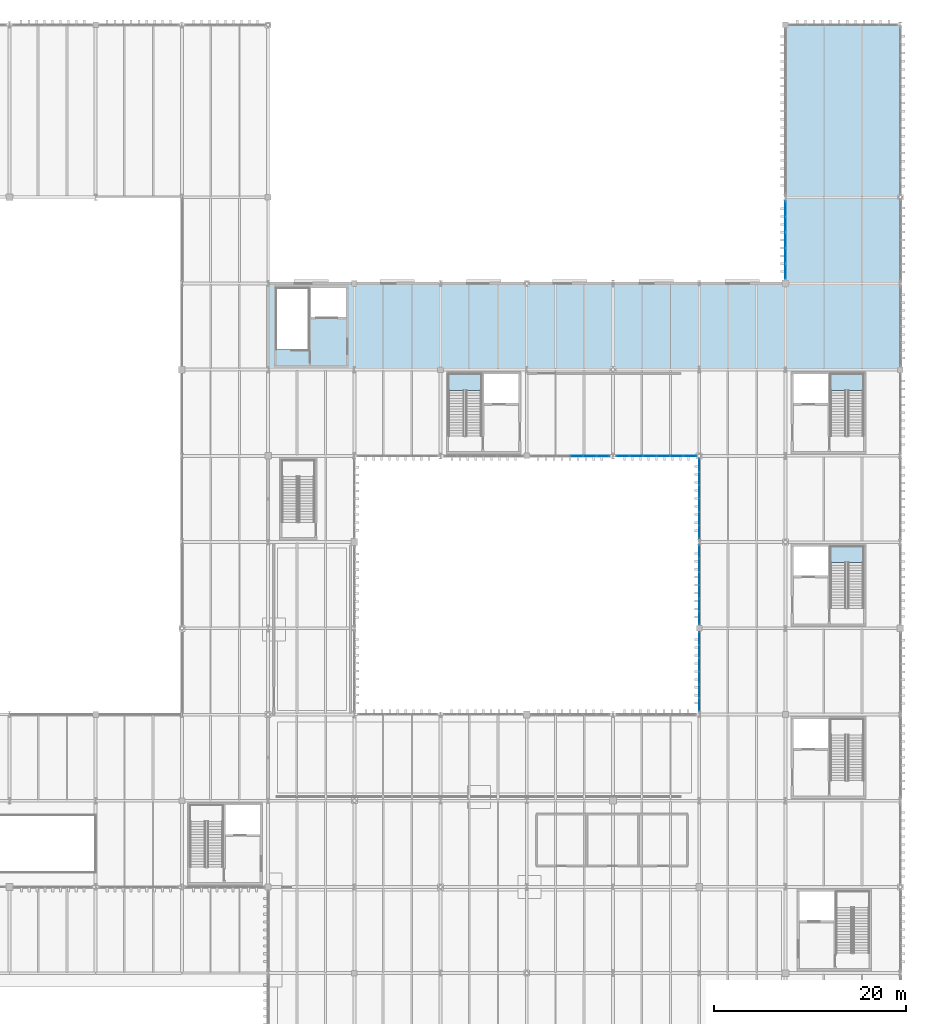
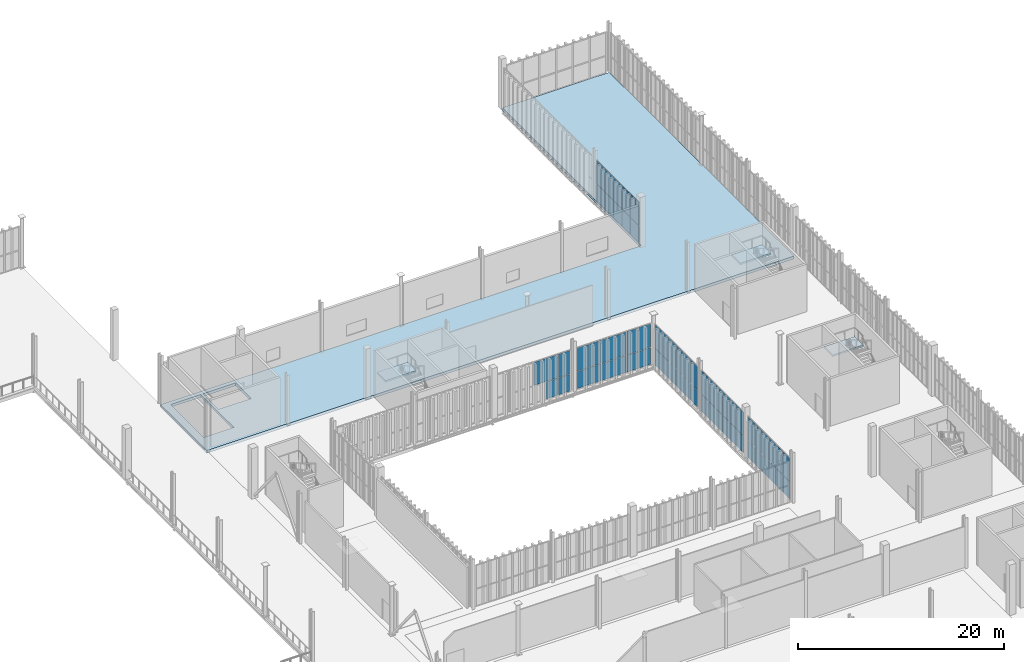
# One storey, part 164 of 211: 63 plates, 4 slabs, 9 elements without a shape of their own.
"""IFC4 building model written with IfcOpenShell, lengths in metres."""

from ifc_helpers import new_model, si_unit, direction, frame, origin, origin_2d, place, context, subcontext, project, spatial, polyline, rectangle, outline, extrude, material, layer, layer_set, type_object, element, aggregate, save


model = new_model("IFC4")

# Units and contexts
model_context = context("Model", 3, precision=1e-05, world=origin(), true_north=direction((0.0, 1.0)))
body_context = subcontext(model_context, "Body", "Model", "MODEL_VIEW")
ifc_project = project(units=[si_unit("LENGTHUNIT", "METRE"), si_unit("AREAUNIT", "SQUARE_METRE"), si_unit("VOLUMEUNIT", "CUBIC_METRE"), si_unit("PLANEANGLEUNIT", "RADIAN"), si_unit("MASSUNIT", "GRAM", prefix="KILO")], contexts=[model_context])

# Site, building, storey
site_placement = place(None, origin())
site = spatial("IfcSite", under=ifc_project, at=site_placement, CompositionType="ELEMENT")
building_placement = place(site_placement, origin())
building = spatial("IfcBuilding", under=site, at=building_placement, Name="Barlavento Convention Centre", CompositionType="ELEMENT")
storey_placement = place(building_placement, frame((0.0, 0.0, 6.0)))
storey = spatial("IfcBuildingStorey", under=building, at=storey_placement, Name="L01", CompositionType="ELEMENT", Elevation=6.0)

# Curtain wall, plates
ifc_material_1 = material(Name="Powder-coated aluminium and Low-E glass", Category="aluminium")
ifc_layer_1 = layer(ifc_material_1, 0.195068359375)
ifc_layer_set_1 = layer_set([ifc_layer_1], Name="ARC-CW-PATIO-A")
curtain_wall_type_1 = type_object("IfcCurtainWallType", Name="ARC-CW-PATIO-A", PredefinedType="NOTDEFINED", material=ifc_layer_set_1)
curtain_wall_1_placement = place(storey_placement, origin())
curtain_wall_1 = element("IfcCurtainWall", 1, at=curtain_wall_1_placement, inside=storey, type_object=curtain_wall_type_1, Name="L01 unitised curtain wall CW11", PredefinedType="NOTDEFINED")
ifc_material_2 = material(Name="Double-silver Low-E insulated glass", Category="glass")
ifc_layer_2 = layer(ifc_material_2, 0.028076171875)
ifc_layer_set_2 = layer_set([ifc_layer_2], Name="ARC-CWP-GLZ28")
plate_type_1 = type_object("IfcPlateType", Name="ARC-CWP-GLZ28", PredefinedType="CURTAIN_PANEL", material=ifc_layer_set_2)
plate_1_placement = place(storey_placement, frame((158.1982421875, 90.0, 2.1298828125), z_axis=(0.0, 0.0, 1.0), x_axis=(1.0, 0.0, 0.0)))
plate_1 = element("IfcPlate", 2, at=plate_1_placement, type_object=plate_type_1, Name="CW11 panel 4.2", PredefinedType="CURTAIN_PANEL", context=body_context, shape_type="SweptSolid", body=[
    extrude(rectangle(XDim=1.322265625, YDim=0.028076171875, at=origin_2d()), origin(), (0.0, 0.0, 1.0), 2.760009765625),
])
plate_2_placement = place(storey_placement, frame((159.58056640625, 90.0, 0.06005859375), z_axis=(0.0, 0.0, 1.0), x_axis=(1.0, 0.0, 0.0)))
plate_2 = element("IfcPlate", 3, at=plate_2_placement, type_object=plate_type_1, Name="CW11 panel 5.1", PredefinedType="CURTAIN_PANEL", context=body_context, shape_type="SweptSolid", body=[
    extrude(rectangle(XDim=1.322265625, YDim=0.028076171875, at=origin_2d()), origin(), (0.0, 0.0, 1.0), 2.010009765625),
])
plate_3_placement = place(storey_placement, frame((159.58056640625, 90.0, 2.1298828125), z_axis=(0.0, 0.0, 1.0), x_axis=(1.0, 0.0, 0.0)))
plate_3 = element("IfcPlate", 4, at=plate_3_placement, type_object=plate_type_1, Name="CW11 panel 5.2", PredefinedType="CURTAIN_PANEL", context=body_context, shape_type="SweptSolid", body=[
    extrude(rectangle(XDim=1.322265625, YDim=0.028076171875, at=origin_2d()), origin(), (0.0, 0.0, 1.0), 2.760009765625),
])
plate_4_placement = place(storey_placement, frame((160.94775390625, 90.0, 0.06005859375), z_axis=(0.0, 0.0, 1.0), x_axis=(1.0, 0.0, 0.0)))
plate_4 = element("IfcPlate", 5, at=plate_4_placement, type_object=plate_type_1, Name="CW11 panel 6.1", PredefinedType="CURTAIN_PANEL", context=body_context, shape_type="SweptSolid", body=[
    extrude(rectangle(XDim=1.292236328125, YDim=0.028076171875, at=origin_2d()), origin(), (0.0, 0.0, 1.0), 2.010009765625),
])
plate_5_placement = place(storey_placement, frame((160.94775390625, 90.0, 2.1298828125), z_axis=(0.0, 0.0, 1.0), x_axis=(1.0, 0.0, 0.0)))
plate_5 = element("IfcPlate", 6, at=plate_5_placement, type_object=plate_type_1, Name="CW11 panel 6.2", PredefinedType="CURTAIN_PANEL", context=body_context, shape_type="SweptSolid", body=[
    extrude(rectangle(XDim=1.292236328125, YDim=0.028076171875, at=origin_2d()), origin(), (0.0, 0.0, 1.0), 2.760009765625),
])
aggregate(curtain_wall_1, [plate_1, plate_2, plate_3, plate_4, plate_5])

curtain_wall_2_placement = place(storey_placement, origin())
curtain_wall_2 = element("IfcCurtainWall", 7, at=curtain_wall_2_placement, inside=storey, type_object=curtain_wall_type_1, Name="L01 unitised curtain wall CW11", PredefinedType="NOTDEFINED")
plate_6_placement = place(storey_placement, frame((163.060302734375, 90.0, 0.06005859375), z_axis=(0.0, 0.0, 1.0), x_axis=(1.0, 0.0, 0.0)))
plate_6 = element("IfcPlate", 8, at=plate_6_placement, type_object=plate_type_1, Name="CW11 panel 1.1", PredefinedType="CURTAIN_PANEL", context=body_context, shape_type="SweptSolid", body=[
    extrude(rectangle(XDim=1.308349609375, YDim=0.028076171875, at=origin_2d()), origin(), (0.0, 0.0, 1.0), 2.010009765625),
])
plate_7_placement = place(storey_placement, frame((163.060302734375, 90.0, 2.1298828125), z_axis=(0.0, 0.0, 1.0), x_axis=(1.0, 0.0, 0.0)))
plate_7 = element("IfcPlate", 9, at=plate_7_placement, type_object=plate_type_1, Name="CW11 panel 1.2", PredefinedType="CURTAIN_PANEL", context=body_context, shape_type="SweptSolid", body=[
    extrude(rectangle(XDim=1.308349609375, YDim=0.028076171875, at=origin_2d()), origin(), (0.0, 0.0, 1.0), 2.760009765625),
])
plate_8_placement = place(storey_placement, frame((164.443603515625, 90.0, 0.06005859375), z_axis=(0.0, 0.0, 1.0), x_axis=(1.0, 0.0, 0.0)))
plate_8 = element("IfcPlate", 10, at=plate_8_placement, type_object=plate_type_1, Name="CW11 panel 2.1", PredefinedType="CURTAIN_PANEL", context=body_context, shape_type="SweptSolid", body=[
    extrude(rectangle(XDim=1.33837890625, YDim=0.028076171875, at=origin_2d()), origin(), (0.0, 0.0, 1.0), 2.010009765625),
])
plate_9_placement = place(storey_placement, frame((164.443603515625, 90.0, 2.1298828125), z_axis=(0.0, 0.0, 1.0), x_axis=(1.0, 0.0, 0.0)))
plate_9 = element("IfcPlate", 11, at=plate_9_placement, type_object=plate_type_1, Name="CW11 panel 2.2", PredefinedType="CURTAIN_PANEL", context=body_context, shape_type="SweptSolid", body=[
    extrude(rectangle(XDim=1.33837890625, YDim=0.028076171875, at=origin_2d()), origin(), (0.0, 0.0, 1.0), 2.760009765625),
])
plate_10_placement = place(storey_placement, frame((165.84228515625, 90.0, 0.06005859375), z_axis=(0.0, 0.0, 1.0), x_axis=(1.0, 0.0, 0.0)))
plate_10 = element("IfcPlate", 12, at=plate_10_placement, type_object=plate_type_1, Name="CW11 panel 3.1", PredefinedType="CURTAIN_PANEL", context=body_context, shape_type="SweptSolid", body=[
    extrude(rectangle(XDim=1.33837890625, YDim=0.028076171875, at=origin_2d()), origin(), (0.0, 0.0, 1.0), 2.010009765625),
])
plate_11_placement = place(storey_placement, frame((165.84228515625, 90.0, 2.1298828125), z_axis=(0.0, 0.0, 1.0), x_axis=(1.0, 0.0, 0.0)))
plate_11 = element("IfcPlate", 13, at=plate_11_placement, type_object=plate_type_1, Name="CW11 panel 3.2", PredefinedType="CURTAIN_PANEL", context=body_context, shape_type="SweptSolid", body=[
    extrude(rectangle(XDim=1.33837890625, YDim=0.028076171875, at=origin_2d()), origin(), (0.0, 0.0, 1.0), 2.760009765625),
])
plate_12_placement = place(storey_placement, frame((167.24072265625, 90.0, 0.06005859375), z_axis=(0.0, 0.0, 1.0), x_axis=(1.0, 0.0, 0.0)))
plate_12 = element("IfcPlate", 14, at=plate_12_placement, type_object=plate_type_1, Name="CW11 panel 4.1", PredefinedType="CURTAIN_PANEL", context=body_context, shape_type="SweptSolid", body=[
    extrude(rectangle(XDim=1.33837890625, YDim=0.028076171875, at=origin_2d()), origin(), (0.0, 0.0, 1.0), 2.010009765625),
])
plate_13_placement = place(storey_placement, frame((167.24072265625, 90.0, 2.1298828125), z_axis=(0.0, 0.0, 1.0), x_axis=(1.0, 0.0, 0.0)))
plate_13 = element("IfcPlate", 15, at=plate_13_placement, type_object=plate_type_1, Name="CW11 panel 4.2", PredefinedType="CURTAIN_PANEL", context=body_context, shape_type="SweptSolid", body=[
    extrude(rectangle(XDim=1.33837890625, YDim=0.028076171875, at=origin_2d()), origin(), (0.0, 0.0, 1.0), 2.760009765625),
])
plate_14_placement = place(storey_placement, frame((168.63916015625, 90.0, 0.06005859375), z_axis=(0.0, 0.0, 1.0), x_axis=(1.0, 0.0, 0.0)))
plate_14 = element("IfcPlate", 16, at=plate_14_placement, type_object=plate_type_1, Name="CW11 panel 5.1", PredefinedType="CURTAIN_PANEL", context=body_context, shape_type="SweptSolid", body=[
    extrude(rectangle(XDim=1.33837890625, YDim=0.028076171875, at=origin_2d()), origin(), (0.0, 0.0, 1.0), 2.010009765625),
])
plate_15_placement = place(storey_placement, frame((168.63916015625, 90.0, 2.1298828125), z_axis=(0.0, 0.0, 1.0), x_axis=(1.0, 0.0, 0.0)))
plate_15 = element("IfcPlate", 17, at=plate_15_placement, type_object=plate_type_1, Name="CW11 panel 5.2", PredefinedType="CURTAIN_PANEL", context=body_context, shape_type="SweptSolid", body=[
    extrude(rectangle(XDim=1.33837890625, YDim=0.028076171875, at=origin_2d()), origin(), (0.0, 0.0, 1.0), 2.760009765625),
])
plate_16_placement = place(storey_placement, frame((170.0224609375, 90.0, 0.06005859375), z_axis=(0.0, 0.0, 1.0), x_axis=(1.0, 0.0, 0.0)))
plate_16 = element("IfcPlate", 18, at=plate_16_placement, type_object=plate_type_1, Name="CW11 panel 6.1", PredefinedType="CURTAIN_PANEL", context=body_context, shape_type="SweptSolid", body=[
    extrude(rectangle(XDim=1.308349609375, YDim=0.028076171875, at=origin_2d()), origin(), (0.0, 0.0, 1.0), 2.010009765625),
])
plate_17_placement = place(storey_placement, frame((170.0224609375, 90.0, 2.1298828125), z_axis=(0.0, 0.0, 1.0), x_axis=(1.0, 0.0, 0.0)))
plate_17 = element("IfcPlate", 19, at=plate_17_placement, type_object=plate_type_1, Name="CW11 panel 6.2", PredefinedType="CURTAIN_PANEL", context=body_context, shape_type="SweptSolid", body=[
    extrude(rectangle(XDim=1.308349609375, YDim=0.028076171875, at=origin_2d()), origin(), (0.0, 0.0, 1.0), 2.760009765625),
])
aggregate(curtain_wall_2, [plate_6, plate_7, plate_8, plate_9, plate_10, plate_11, plate_12, plate_13, plate_14, plate_15, plate_16, plate_17])

curtain_wall_3_placement = place(storey_placement, origin())
curtain_wall_3 = element("IfcCurtainWall", 20, at=curtain_wall_3_placement, inside=storey, type_object=curtain_wall_type_1, Name="L01 unitised curtain wall CW11", PredefinedType="NOTDEFINED")
plate_18_placement = place(storey_placement, frame((171.0, 64.06494140625, 0.06005859375), z_axis=(0.0, 0.0, 1.0), x_axis=(0.0, 1.0, 0.0)))
plate_18 = element("IfcPlate", 21, at=plate_18_placement, type_object=plate_type_1, Name="CW11 panel 1.1", PredefinedType="CURTAIN_PANEL", context=body_context, shape_type="SweptSolid", body=[
    extrude(rectangle(XDim=1.2900390625, YDim=0.028076171875, at=origin_2d()), origin(), (0.0, 0.0, 1.0), 2.010009765625),
])
plate_19_placement = place(storey_placement, frame((171.0, 64.06494140625, 2.1298828125), z_axis=(0.0, 0.0, 1.0), x_axis=(0.0, 1.0, 0.0)))
plate_19 = element("IfcPlate", 22, at=plate_19_placement, type_object=plate_type_1, Name="CW11 panel 1.2", PredefinedType="CURTAIN_PANEL", context=body_context, shape_type="SweptSolid", body=[
    extrude(rectangle(XDim=1.2900390625, YDim=0.028076171875, at=origin_2d()), origin(), (0.0, 0.0, 1.0), 2.760009765625),
])
plate_20_placement = place(storey_placement, frame((171.0, 65.429931640625, 0.06005859375), z_axis=(0.0, 0.0, 1.0), x_axis=(0.0, 1.0, 0.0)))
plate_20 = element("IfcPlate", 23, at=plate_20_placement, type_object=plate_type_1, Name="CW11 panel 2.1", PredefinedType="CURTAIN_PANEL", context=body_context, shape_type="SweptSolid", body=[
    extrude(rectangle(XDim=1.320068359375, YDim=0.028076171875, at=origin_2d()), origin(), (0.0, 0.0, 1.0), 2.010009765625),
])
plate_21_placement = place(storey_placement, frame((171.0, 65.429931640625, 2.1298828125), z_axis=(0.0, 0.0, 1.0), x_axis=(0.0, 1.0, 0.0)))
plate_21 = element("IfcPlate", 24, at=plate_21_placement, type_object=plate_type_1, Name="CW11 panel 2.2", PredefinedType="CURTAIN_PANEL", context=body_context, shape_type="SweptSolid", body=[
    extrude(rectangle(XDim=1.320068359375, YDim=0.028076171875, at=origin_2d()), origin(), (0.0, 0.0, 1.0), 2.760009765625),
])
plate_22_placement = place(storey_placement, frame((171.0, 66.81005859375, 0.06005859375), z_axis=(0.0, 0.0, 1.0), x_axis=(0.0, 1.0, 0.0)))
plate_22 = element("IfcPlate", 25, at=plate_22_placement, type_object=plate_type_1, Name="CW11 panel 3.1", PredefinedType="CURTAIN_PANEL", context=body_context, shape_type="SweptSolid", body=[
    extrude(rectangle(XDim=1.320068359375, YDim=0.028076171875, at=origin_2d()), origin(), (0.0, 0.0, 1.0), 2.010009765625),
])
plate_23_placement = place(storey_placement, frame((171.0, 66.81005859375, 2.1298828125), z_axis=(0.0, 0.0, 1.0), x_axis=(0.0, 1.0, 0.0)))
plate_23 = element("IfcPlate", 26, at=plate_23_placement, type_object=plate_type_1, Name="CW11 panel 3.2", PredefinedType="CURTAIN_PANEL", context=body_context, shape_type="SweptSolid", body=[
    extrude(rectangle(XDim=1.320068359375, YDim=0.028076171875, at=origin_2d()), origin(), (0.0, 0.0, 1.0), 2.760009765625),
])
plate_24_placement = place(storey_placement, frame((171.0, 68.18994140625, 0.06005859375), z_axis=(0.0, 0.0, 1.0), x_axis=(0.0, 1.0, 0.0)))
plate_24 = element("IfcPlate", 27, at=plate_24_placement, type_object=plate_type_1, Name="CW11 panel 4.1", PredefinedType="CURTAIN_PANEL", context=body_context, shape_type="SweptSolid", body=[
    extrude(rectangle(XDim=1.320068359375, YDim=0.028076171875, at=origin_2d()), origin(), (0.0, 0.0, 1.0), 2.010009765625),
])
plate_25_placement = place(storey_placement, frame((171.0, 68.18994140625, 2.1298828125), z_axis=(0.0, 0.0, 1.0), x_axis=(0.0, 1.0, 0.0)))
plate_25 = element("IfcPlate", 28, at=plate_25_placement, type_object=plate_type_1, Name="CW11 panel 4.2", PredefinedType="CURTAIN_PANEL", context=body_context, shape_type="SweptSolid", body=[
    extrude(rectangle(XDim=1.320068359375, YDim=0.028076171875, at=origin_2d()), origin(), (0.0, 0.0, 1.0), 2.760009765625),
])
plate_26_placement = place(storey_placement, frame((171.0, 69.570068359375, 0.06005859375), z_axis=(0.0, 0.0, 1.0), x_axis=(0.0, 1.0, 0.0)))
plate_26 = element("IfcPlate", 29, at=plate_26_placement, type_object=plate_type_1, Name="CW11 panel 5.1", PredefinedType="CURTAIN_PANEL", context=body_context, shape_type="SweptSolid", body=[
    extrude(rectangle(XDim=1.320068359375, YDim=0.028076171875, at=origin_2d()), origin(), (0.0, 0.0, 1.0), 2.010009765625),
])
plate_27_placement = place(storey_placement, frame((171.0, 69.570068359375, 2.1298828125), z_axis=(0.0, 0.0, 1.0), x_axis=(0.0, 1.0, 0.0)))
plate_27 = element("IfcPlate", 30, at=plate_27_placement, type_object=plate_type_1, Name="CW11 panel 5.2", PredefinedType="CURTAIN_PANEL", context=body_context, shape_type="SweptSolid", body=[
    extrude(rectangle(XDim=1.320068359375, YDim=0.028076171875, at=origin_2d()), origin(), (0.0, 0.0, 1.0), 2.760009765625),
])
plate_28_placement = place(storey_placement, frame((171.0, 70.93505859375, 0.06005859375), z_axis=(0.0, 0.0, 1.0), x_axis=(0.0, 1.0, 0.0)))
plate_28 = element("IfcPlate", 31, at=plate_28_placement, type_object=plate_type_1, Name="CW11 panel 6.1", PredefinedType="CURTAIN_PANEL", context=body_context, shape_type="SweptSolid", body=[
    extrude(rectangle(XDim=1.2900390625, YDim=0.028076171875, at=origin_2d()), origin(), (0.0, 0.0, 1.0), 2.010009765625),
])
plate_29_placement = place(storey_placement, frame((171.0, 70.93505859375, 2.1298828125), z_axis=(0.0, 0.0, 1.0), x_axis=(0.0, 1.0, 0.0)))
plate_29 = element("IfcPlate", 32, at=plate_29_placement, type_object=plate_type_1, Name="CW11 panel 6.2", PredefinedType="CURTAIN_PANEL", context=body_context, shape_type="SweptSolid", body=[
    extrude(rectangle(XDim=1.2900390625, YDim=0.028076171875, at=origin_2d()), origin(), (0.0, 0.0, 1.0), 2.760009765625),
])
aggregate(curtain_wall_3, [plate_18, plate_19, plate_20, plate_21, plate_22, plate_23, plate_24, plate_25, plate_26, plate_27, plate_28, plate_29])

curtain_wall_4_placement = place(storey_placement, origin())
curtain_wall_4 = element("IfcCurtainWall", 33, at=curtain_wall_4_placement, inside=storey, type_object=curtain_wall_type_1, Name="L01 unitised curtain wall CW11", PredefinedType="NOTDEFINED")
plate_30_placement = place(storey_placement, frame((171.0, 73.066162109375, 0.06005859375), z_axis=(0.0, 0.0, 1.0), x_axis=(0.0, 1.0, 0.0)))
plate_30 = element("IfcPlate", 34, at=plate_30_placement, type_object=plate_type_1, Name="CW11 panel 1.1", PredefinedType="CURTAIN_PANEL", context=body_context, shape_type="SweptSolid", body=[
    extrude(rectangle(XDim=1.292236328125, YDim=0.028076171875, at=origin_2d()), origin(), (0.0, 0.0, 1.0), 2.010009765625),
])
plate_31_placement = place(storey_placement, frame((171.0, 73.066162109375, 2.1298828125), z_axis=(0.0, 0.0, 1.0), x_axis=(0.0, 1.0, 0.0)))
plate_31 = element("IfcPlate", 35, at=plate_31_placement, type_object=plate_type_1, Name="CW11 panel 1.2", PredefinedType="CURTAIN_PANEL", context=body_context, shape_type="SweptSolid", body=[
    extrude(rectangle(XDim=1.292236328125, YDim=0.028076171875, at=origin_2d()), origin(), (0.0, 0.0, 1.0), 2.760009765625),
])
plate_32_placement = place(storey_placement, frame((171.0, 74.43359375, 0.06005859375), z_axis=(0.0, 0.0, 1.0), x_axis=(0.0, 1.0, 0.0)))
plate_32 = element("IfcPlate", 36, at=plate_32_placement, type_object=plate_type_1, Name="CW11 panel 2.1", PredefinedType="CURTAIN_PANEL", context=body_context, shape_type="SweptSolid", body=[
    extrude(rectangle(XDim=1.322265625, YDim=0.028076171875, at=origin_2d()), origin(), (0.0, 0.0, 1.0), 2.010009765625),
])
plate_33_placement = place(storey_placement, frame((171.0, 74.43359375, 2.1298828125), z_axis=(0.0, 0.0, 1.0), x_axis=(0.0, 1.0, 0.0)))
plate_33 = element("IfcPlate", 37, at=plate_33_placement, type_object=plate_type_1, Name="CW11 panel 2.2", PredefinedType="CURTAIN_PANEL", context=body_context, shape_type="SweptSolid", body=[
    extrude(rectangle(XDim=1.322265625, YDim=0.028076171875, at=origin_2d()), origin(), (0.0, 0.0, 1.0), 2.760009765625),
])
plate_34_placement = place(storey_placement, frame((171.0, 75.81591796875, 0.06005859375), z_axis=(0.0, 0.0, 1.0), x_axis=(0.0, 1.0, 0.0)))
plate_34 = element("IfcPlate", 38, at=plate_34_placement, type_object=plate_type_1, Name="CW11 panel 3.1", PredefinedType="CURTAIN_PANEL", context=body_context, shape_type="SweptSolid", body=[
    extrude(rectangle(XDim=1.322265625, YDim=0.028076171875, at=origin_2d()), origin(), (0.0, 0.0, 1.0), 2.010009765625),
])
plate_35_placement = place(storey_placement, frame((171.0, 75.81591796875, 2.1298828125), z_axis=(0.0, 0.0, 1.0), x_axis=(0.0, 1.0, 0.0)))
plate_35 = element("IfcPlate", 39, at=plate_35_placement, type_object=plate_type_1, Name="CW11 panel 3.2", PredefinedType="CURTAIN_PANEL", context=body_context, shape_type="SweptSolid", body=[
    extrude(rectangle(XDim=1.322265625, YDim=0.028076171875, at=origin_2d()), origin(), (0.0, 0.0, 1.0), 2.760009765625),
])
plate_36_placement = place(storey_placement, frame((171.0, 77.1982421875, 0.06005859375), z_axis=(0.0, 0.0, 1.0), x_axis=(0.0, 1.0, 0.0)))
plate_36 = element("IfcPlate", 40, at=plate_36_placement, type_object=plate_type_1, Name="CW11 panel 4.1", PredefinedType="CURTAIN_PANEL", context=body_context, shape_type="SweptSolid", body=[
    extrude(rectangle(XDim=1.322265625, YDim=0.028076171875, at=origin_2d()), origin(), (0.0, 0.0, 1.0), 2.010009765625),
])
plate_37_placement = place(storey_placement, frame((171.0, 77.1982421875, 2.1298828125), z_axis=(0.0, 0.0, 1.0), x_axis=(0.0, 1.0, 0.0)))
plate_37 = element("IfcPlate", 41, at=plate_37_placement, type_object=plate_type_1, Name="CW11 panel 4.2", PredefinedType="CURTAIN_PANEL", context=body_context, shape_type="SweptSolid", body=[
    extrude(rectangle(XDim=1.322265625, YDim=0.028076171875, at=origin_2d()), origin(), (0.0, 0.0, 1.0), 2.760009765625),
])
plate_38_placement = place(storey_placement, frame((171.0, 78.58056640625, 0.06005859375), z_axis=(0.0, 0.0, 1.0), x_axis=(0.0, 1.0, 0.0)))
plate_38 = element("IfcPlate", 42, at=plate_38_placement, type_object=plate_type_1, Name="CW11 panel 5.1", PredefinedType="CURTAIN_PANEL", context=body_context, shape_type="SweptSolid", body=[
    extrude(rectangle(XDim=1.322265625, YDim=0.028076171875, at=origin_2d()), origin(), (0.0, 0.0, 1.0), 2.010009765625),
])
plate_39_placement = place(storey_placement, frame((171.0, 78.58056640625, 2.1298828125), z_axis=(0.0, 0.0, 1.0), x_axis=(0.0, 1.0, 0.0)))
plate_39 = element("IfcPlate", 43, at=plate_39_placement, type_object=plate_type_1, Name="CW11 panel 5.2", PredefinedType="CURTAIN_PANEL", context=body_context, shape_type="SweptSolid", body=[
    extrude(rectangle(XDim=1.322265625, YDim=0.028076171875, at=origin_2d()), origin(), (0.0, 0.0, 1.0), 2.760009765625),
])
plate_40_placement = place(storey_placement, frame((171.0, 79.94775390625, 0.06005859375), z_axis=(0.0, 0.0, 1.0), x_axis=(0.0, 1.0, 0.0)))
plate_40 = element("IfcPlate", 44, at=plate_40_placement, type_object=plate_type_1, Name="CW11 panel 6.1", PredefinedType="CURTAIN_PANEL", context=body_context, shape_type="SweptSolid", body=[
    extrude(rectangle(XDim=1.292236328125, YDim=0.028076171875, at=origin_2d()), origin(), (0.0, 0.0, 1.0), 2.010009765625),
])
plate_41_placement = place(storey_placement, frame((171.0, 79.94775390625, 2.1298828125), z_axis=(0.0, 0.0, 1.0), x_axis=(0.0, 1.0, 0.0)))
plate_41 = element("IfcPlate", 45, at=plate_41_placement, type_object=plate_type_1, Name="CW11 panel 6.2", PredefinedType="CURTAIN_PANEL", context=body_context, shape_type="SweptSolid", body=[
    extrude(rectangle(XDim=1.292236328125, YDim=0.028076171875, at=origin_2d()), origin(), (0.0, 0.0, 1.0), 2.760009765625),
])
aggregate(curtain_wall_4, [plate_30, plate_31, plate_32, plate_33, plate_34, plate_35, plate_36, plate_37, plate_38, plate_39, plate_40, plate_41])

curtain_wall_5_placement = place(storey_placement, origin())
curtain_wall_5 = element("IfcCurtainWall", 46, at=curtain_wall_5_placement, inside=storey, type_object=curtain_wall_type_1, Name="L01 unitised curtain wall CW11", PredefinedType="NOTDEFINED")
plate_42_placement = place(storey_placement, frame((171.0, 82.060302734375, 0.06005859375), z_axis=(0.0, 0.0, 1.0), x_axis=(0.0, 1.0, 0.0)))
plate_42 = element("IfcPlate", 47, at=plate_42_placement, type_object=plate_type_1, Name="CW11 panel 1.1", PredefinedType="CURTAIN_PANEL", context=body_context, shape_type="SweptSolid", body=[
    extrude(rectangle(XDim=1.308349609375, YDim=0.028076171875, at=origin_2d()), origin(), (0.0, 0.0, 1.0), 2.010009765625),
])
plate_43_placement = place(storey_placement, frame((171.0, 82.060302734375, 2.1298828125), z_axis=(0.0, 0.0, 1.0), x_axis=(0.0, 1.0, 0.0)))
plate_43 = element("IfcPlate", 48, at=plate_43_placement, type_object=plate_type_1, Name="CW11 panel 1.2", PredefinedType="CURTAIN_PANEL", context=body_context, shape_type="SweptSolid", body=[
    extrude(rectangle(XDim=1.308349609375, YDim=0.028076171875, at=origin_2d()), origin(), (0.0, 0.0, 1.0), 2.760009765625),
])
plate_44_placement = place(storey_placement, frame((171.0, 83.443603515625, 0.06005859375), z_axis=(0.0, 0.0, 1.0), x_axis=(0.0, 1.0, 0.0)))
plate_44 = element("IfcPlate", 49, at=plate_44_placement, type_object=plate_type_1, Name="CW11 panel 2.1", PredefinedType="CURTAIN_PANEL", context=body_context, shape_type="SweptSolid", body=[
    extrude(rectangle(XDim=1.33837890625, YDim=0.028076171875, at=origin_2d()), origin(), (0.0, 0.0, 1.0), 2.010009765625),
])
plate_45_placement = place(storey_placement, frame((171.0, 83.443603515625, 2.1298828125), z_axis=(0.0, 0.0, 1.0), x_axis=(0.0, 1.0, 0.0)))
plate_45 = element("IfcPlate", 50, at=plate_45_placement, type_object=plate_type_1, Name="CW11 panel 2.2", PredefinedType="CURTAIN_PANEL", context=body_context, shape_type="SweptSolid", body=[
    extrude(rectangle(XDim=1.33837890625, YDim=0.028076171875, at=origin_2d()), origin(), (0.0, 0.0, 1.0), 2.760009765625),
])
plate_46_placement = place(storey_placement, frame((171.0, 84.84228515625, 0.06005859375), z_axis=(0.0, 0.0, 1.0), x_axis=(0.0, 1.0, 0.0)))
plate_46 = element("IfcPlate", 51, at=plate_46_placement, type_object=plate_type_1, Name="CW11 panel 3.1", PredefinedType="CURTAIN_PANEL", context=body_context, shape_type="SweptSolid", body=[
    extrude(rectangle(XDim=1.33837890625, YDim=0.028076171875, at=origin_2d()), origin(), (0.0, 0.0, 1.0), 2.010009765625),
])
plate_47_placement = place(storey_placement, frame((171.0, 84.84228515625, 2.1298828125), z_axis=(0.0, 0.0, 1.0), x_axis=(0.0, 1.0, 0.0)))
plate_47 = element("IfcPlate", 52, at=plate_47_placement, type_object=plate_type_1, Name="CW11 panel 3.2", PredefinedType="CURTAIN_PANEL", context=body_context, shape_type="SweptSolid", body=[
    extrude(rectangle(XDim=1.33837890625, YDim=0.028076171875, at=origin_2d()), origin(), (0.0, 0.0, 1.0), 2.760009765625),
])
plate_48_placement = place(storey_placement, frame((171.0, 86.24072265625, 0.06005859375), z_axis=(0.0, 0.0, 1.0), x_axis=(0.0, 1.0, 0.0)))
plate_48 = element("IfcPlate", 53, at=plate_48_placement, type_object=plate_type_1, Name="CW11 panel 4.1", PredefinedType="CURTAIN_PANEL", context=body_context, shape_type="SweptSolid", body=[
    extrude(rectangle(XDim=1.33837890625, YDim=0.028076171875, at=origin_2d()), origin(), (0.0, 0.0, 1.0), 2.010009765625),
])
plate_49_placement = place(storey_placement, frame((171.0, 86.24072265625, 2.1298828125), z_axis=(0.0, 0.0, 1.0), x_axis=(0.0, 1.0, 0.0)))
plate_49 = element("IfcPlate", 54, at=plate_49_placement, type_object=plate_type_1, Name="CW11 panel 4.2", PredefinedType="CURTAIN_PANEL", context=body_context, shape_type="SweptSolid", body=[
    extrude(rectangle(XDim=1.33837890625, YDim=0.028076171875, at=origin_2d()), origin(), (0.0, 0.0, 1.0), 2.760009765625),
])
plate_50_placement = place(storey_placement, frame((171.0, 87.63916015625, 0.06005859375), z_axis=(0.0, 0.0, 1.0), x_axis=(0.0, 1.0, 0.0)))
plate_50 = element("IfcPlate", 55, at=plate_50_placement, type_object=plate_type_1, Name="CW11 panel 5.1", PredefinedType="CURTAIN_PANEL", context=body_context, shape_type="SweptSolid", body=[
    extrude(rectangle(XDim=1.33837890625, YDim=0.028076171875, at=origin_2d()), origin(), (0.0, 0.0, 1.0), 2.010009765625),
])
plate_51_placement = place(storey_placement, frame((171.0, 87.63916015625, 2.1298828125), z_axis=(0.0, 0.0, 1.0), x_axis=(0.0, 1.0, 0.0)))
plate_51 = element("IfcPlate", 56, at=plate_51_placement, type_object=plate_type_1, Name="CW11 panel 5.2", PredefinedType="CURTAIN_PANEL", context=body_context, shape_type="SweptSolid", body=[
    extrude(rectangle(XDim=1.33837890625, YDim=0.028076171875, at=origin_2d()), origin(), (0.0, 0.0, 1.0), 2.760009765625),
])
plate_52_placement = place(storey_placement, frame((171.0, 89.0224609375, 0.06005859375), z_axis=(0.0, 0.0, 1.0), x_axis=(0.0, 1.0, 0.0)))
plate_52 = element("IfcPlate", 57, at=plate_52_placement, type_object=plate_type_1, Name="CW11 panel 6.1", PredefinedType="CURTAIN_PANEL", context=body_context, shape_type="SweptSolid", body=[
    extrude(rectangle(XDim=1.308349609375, YDim=0.028076171875, at=origin_2d()), origin(), (0.0, 0.0, 1.0), 2.010009765625),
])
plate_53_placement = place(storey_placement, frame((171.0, 89.0224609375, 2.1298828125), z_axis=(0.0, 0.0, 1.0), x_axis=(0.0, 1.0, 0.0)))
plate_53 = element("IfcPlate", 58, at=plate_53_placement, type_object=plate_type_1, Name="CW11 panel 6.2", PredefinedType="CURTAIN_PANEL", context=body_context, shape_type="SweptSolid", body=[
    extrude(rectangle(XDim=1.308349609375, YDim=0.028076171875, at=origin_2d()), origin(), (0.0, 0.0, 1.0), 2.760009765625),
])
aggregate(curtain_wall_5, [plate_42, plate_43, plate_44, plate_45, plate_46, plate_47, plate_48, plate_49, plate_50, plate_51, plate_52, plate_53])

ifc_layer_3 = layer(ifc_material_1, 0.179931640625)
ifc_layer_set_3 = layer_set([ifc_layer_3], Name="ARC-CW-EXH-L01")
curtain_wall_type_2 = type_object("IfcCurtainWallType", Name="ARC-CW-EXH-L01", PredefinedType="NOTDEFINED", material=ifc_layer_set_3)
curtain_wall_6_placement = place(storey_placement, origin())
curtain_wall_6 = element("IfcCurtainWall", 59, at=curtain_wall_6_placement, inside=storey, type_object=curtain_wall_type_2, Name="L01 unitised curtain wall CW04", PredefinedType="NOTDEFINED")
ifc_material_3 = material(Name="Glazed terracotta spandrel panel", Category="masonry")
ifc_layer_4 = layer(ifc_material_3, 0.044921875)
ifc_layer_set_4 = layer_set([ifc_layer_4], Name="ARC-CWP-TER45")
plate_type_2 = type_object("IfcPlateType", Name="ARC-CWP-TER45", PredefinedType="CURTAIN_PANEL", material=ifc_layer_set_4)
plate_54_placement = place(storey_placement, frame((180.0, 109.2548828125, 0.06005859375), z_axis=(0.0, 0.0, 1.0), x_axis=(0.0, 1.0, 0.0)))
plate_54 = element("IfcPlate", 60, at=plate_54_placement, type_object=plate_type_2, Name="CW04 panel 1.1", PredefinedType="CURTAIN_PANEL", context=body_context, shape_type="SweptSolid", body=[
    extrude(rectangle(XDim=1.550048828125, YDim=0.044921875, at=origin_2d()), origin(), (0.0, 0.0, 1.0), 2.010009765625),
])
plate_55_placement = place(storey_placement, frame((180.0, 109.2548828125, 2.1298828125), z_axis=(0.0, 0.0, 1.0), x_axis=(0.0, 1.0, 0.0)))
plate_55 = element("IfcPlate", 61, at=plate_55_placement, type_object=plate_type_2, Name="CW04 panel 1.2", PredefinedType="CURTAIN_PANEL", context=body_context, shape_type="SweptSolid", body=[
    extrude(rectangle(XDim=1.550048828125, YDim=0.044921875, at=origin_2d()), origin(), (0.0, 0.0, 1.0), 2.760009765625),
])
plate_56_placement = place(storey_placement, frame((180.0, 110.8798828125, 0.06005859375), z_axis=(0.0, 0.0, 1.0), x_axis=(0.0, 1.0, 0.0)))
plate_56 = element("IfcPlate", 62, at=plate_56_placement, type_object=plate_type_2, Name="CW04 panel 2.1", PredefinedType="CURTAIN_PANEL", context=body_context, shape_type="SweptSolid", body=[
    extrude(rectangle(XDim=1.580078125, YDim=0.044921875, at=origin_2d()), origin(), (0.0, 0.0, 1.0), 2.010009765625),
])
plate_57_placement = place(storey_placement, frame((180.0, 110.8798828125, 2.1298828125), z_axis=(0.0, 0.0, 1.0), x_axis=(0.0, 1.0, 0.0)))
plate_57 = element("IfcPlate", 63, at=plate_57_placement, type_object=plate_type_2, Name="CW04 panel 2.2", PredefinedType="CURTAIN_PANEL", context=body_context, shape_type="SweptSolid", body=[
    extrude(rectangle(XDim=1.580078125, YDim=0.044921875, at=origin_2d()), origin(), (0.0, 0.0, 1.0), 2.760009765625),
])
plate_58_placement = place(storey_placement, frame((180.0, 112.52001953125, 0.06005859375), z_axis=(0.0, 0.0, 1.0), x_axis=(0.0, 1.0, 0.0)))
plate_58 = element("IfcPlate", 64, at=plate_58_placement, type_object=plate_type_2, Name="CW04 panel 3.1", PredefinedType="CURTAIN_PANEL", context=body_context, shape_type="SweptSolid", body=[
    extrude(rectangle(XDim=1.580078125, YDim=0.044921875, at=origin_2d()), origin(), (0.0, 0.0, 1.0), 2.010009765625),
])
plate_59_placement = place(storey_placement, frame((180.0, 112.52001953125, 2.1298828125), z_axis=(0.0, 0.0, 1.0), x_axis=(0.0, 1.0, 0.0)))
plate_59 = element("IfcPlate", 65, at=plate_59_placement, type_object=plate_type_2, Name="CW04 panel 3.2", PredefinedType="CURTAIN_PANEL", context=body_context, shape_type="SweptSolid", body=[
    extrude(rectangle(XDim=1.580078125, YDim=0.044921875, at=origin_2d()), origin(), (0.0, 0.0, 1.0), 2.760009765625),
])
plate_60_placement = place(storey_placement, frame((180.0, 114.159912109375, 0.06005859375), z_axis=(0.0, 0.0, 1.0), x_axis=(0.0, 1.0, 0.0)))
plate_60 = element("IfcPlate", 66, at=plate_60_placement, type_object=plate_type_2, Name="CW04 panel 4.1", PredefinedType="CURTAIN_PANEL", context=body_context, shape_type="SweptSolid", body=[
    extrude(rectangle(XDim=1.580078125, YDim=0.044921875, at=origin_2d()), origin(), (0.0, 0.0, 1.0), 2.010009765625),
])
plate_61_placement = place(storey_placement, frame((180.0, 114.159912109375, 2.1298828125), z_axis=(0.0, 0.0, 1.0), x_axis=(0.0, 1.0, 0.0)))
plate_61 = element("IfcPlate", 67, at=plate_61_placement, type_object=plate_type_2, Name="CW04 panel 4.2", PredefinedType="CURTAIN_PANEL", context=body_context, shape_type="SweptSolid", body=[
    extrude(rectangle(XDim=1.580078125, YDim=0.044921875, at=origin_2d()), origin(), (0.0, 0.0, 1.0), 2.760009765625),
])
plate_62_placement = place(storey_placement, frame((180.0, 115.784912109375, 0.06005859375), z_axis=(0.0, 0.0, 1.0), x_axis=(0.0, 1.0, 0.0)))
plate_62 = element("IfcPlate", 68, at=plate_62_placement, type_object=plate_type_2, Name="CW04 panel 5.1", PredefinedType="CURTAIN_PANEL", context=body_context, shape_type="SweptSolid", body=[
    extrude(rectangle(XDim=1.550048828125, YDim=0.044921875, at=origin_2d()), origin(), (0.0, 0.0, 1.0), 2.010009765625),
])
plate_63_placement = place(storey_placement, frame((180.0, 115.784912109375, 2.1298828125), z_axis=(0.0, 0.0, 1.0), x_axis=(0.0, 1.0, 0.0)))
plate_63 = element("IfcPlate", 69, at=plate_63_placement, type_object=plate_type_2, Name="CW04 panel 5.2", PredefinedType="CURTAIN_PANEL", context=body_context, shape_type="SweptSolid", body=[
    extrude(rectangle(XDim=1.550048828125, YDim=0.044921875, at=origin_2d()), origin(), (0.0, 0.0, 1.0), 2.760009765625),
])
aggregate(curtain_wall_6, [plate_54, plate_55, plate_56, plate_57, plate_58, plate_59, plate_60, plate_61, plate_62, plate_63])

# Stair, slab
ifc_material_4 = material(Name="Concrete C40/50", Category="concrete")
stair_type = type_object("IfcStairType", Name="ARC-STR-DOG-1620", PredefinedType="HALF_TURN_STAIR", material=ifc_material_4)
stair_1_placement = place(storey_placement, origin())
stair_1 = element("IfcStair", 70, at=stair_1_placement, inside=storey, type_object=stair_type, Name="L01 ST07", PredefinedType="HALF_TURN_STAIR")
ifc_layer_5 = layer(ifc_material_4, 0.199951171875)
ifc_layer_set_5 = layer_set([ifc_layer_5], Name="ARC-SLB-LND-200")
slab_type_1 = type_object("IfcSlabType", Name="ARC-SLB-LND-200", PredefinedType="LANDING", material=ifc_layer_set_5)
slab_1_placement = place(storey_placement, frame((0.0, 0.0, 2.800048828125)))
slab_1 = element("IfcSlab", 71, at=slab_1_placement, type_object=slab_type_1, Name="ST07 landing 1", PredefinedType="LANDING", context=body_context, shape_type="SweptSolid", body=[
    extrude(outline(polyline([(188.14990234375, 78.85009765625), (188.14990234375, 80.530029296875), (184.7099609375, 80.530029296875), (184.7099609375, 78.85009765625), (188.14990234375, 78.85009765625)])), origin(), (0.0, 0.0, 1.0), 0.199951171875),
])
aggregate(stair_1, [slab_1])

stair_2_placement = place(storey_placement, origin())
stair_2 = element("IfcStair", 72, at=stair_2_placement, inside=storey, type_object=stair_type, Name="L01 ST08", PredefinedType="HALF_TURN_STAIR")
slab_2_placement = place(storey_placement, frame((0.0, 0.0, 2.800048828125)))
slab_2 = element("IfcSlab", 73, at=slab_2_placement, type_object=slab_type_1, Name="ST08 landing 1", PredefinedType="LANDING", context=body_context, shape_type="SweptSolid", body=[
    extrude(outline(polyline([(188.14990234375, 96.85009765625), (188.14990234375, 98.530029296875), (184.7099609375, 98.530029296875), (184.7099609375, 96.85009765625), (188.14990234375, 96.85009765625)])), origin(), (0.0, 0.0, 1.0), 0.199951171875),
])
aggregate(stair_2, [slab_2])

stair_3_placement = place(storey_placement, origin())
stair_3 = element("IfcStair", 74, at=stair_3_placement, inside=storey, type_object=stair_type, Name="L01 ST09", PredefinedType="HALF_TURN_STAIR")
slab_3_placement = place(storey_placement, frame((0.0, 0.0, 2.800048828125)))
slab_3 = element("IfcSlab", 75, at=slab_3_placement, type_object=slab_type_1, Name="ST09 landing 1", PredefinedType="LANDING", context=body_context, shape_type="SweptSolid", body=[
    extrude(outline(polyline([(148.2900390625, 96.85009765625), (148.2900390625, 98.530029296875), (144.85009765625, 98.530029296875), (144.85009765625, 96.85009765625), (148.2900390625, 96.85009765625)])), origin(), (0.0, 0.0, 1.0), 0.199951171875),
])
aggregate(stair_3, [slab_3])

# Slab
ifc_layer_6 = layer(ifc_material_4, 0.330078125)
ifc_layer_set_6 = layer_set([ifc_layer_6], Name="STR-SLB-FLR-330")
slab_type_2 = type_object("IfcSlabType", Name="STR-SLB-FLR-330", PredefinedType="FLOOR", material=ifc_layer_set_6)
slab_4_placement = place(storey_placement, frame((0.0, 0.0, -0.330078125)))
element("IfcSlab", 76, at=slab_4_placement, inside=storey, type_object=slab_type_2, Name="L01 structural slab FS-106", PredefinedType="FLOOR", context=body_context, shape_type="SweptSolid", body=[
    extrude(outline(polyline([(126.0, 99.0), (192.0, 99.0), (192.0, 135.0), (180.0, 135.0), (180.0, 108.0), (126.0, 108.0), (126.0, 99.0)]), holes=[polyline([(130.25, 101.094970703125), (130.25, 107.530029296875), (126.85009765625, 107.530029296875), (126.85009765625, 101.094970703125), (130.25, 101.094970703125)]), polyline([(130.5, 104.4951171875), (134.14990234375, 104.4951171875), (134.14990234375, 107.530029296875), (130.5, 107.530029296875), (130.5, 104.4951171875)])]), origin(), (0.0, 0.0, 1.0), 0.330078125),
])

save(model, "model.ifc")
